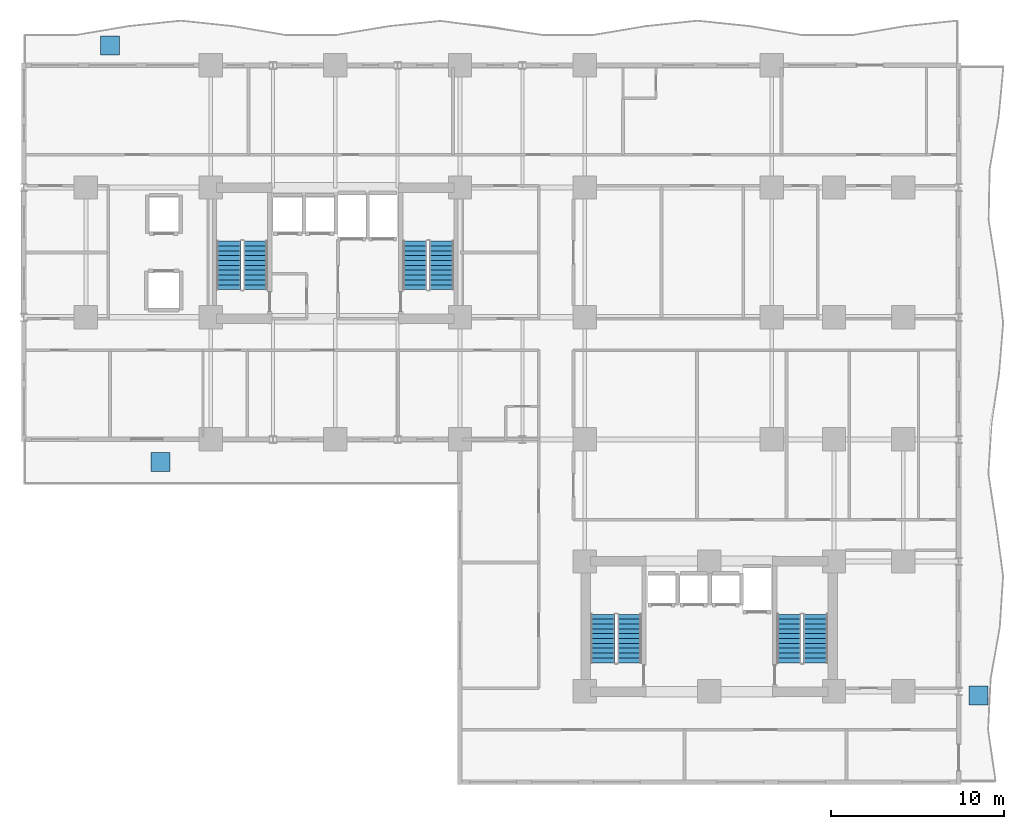
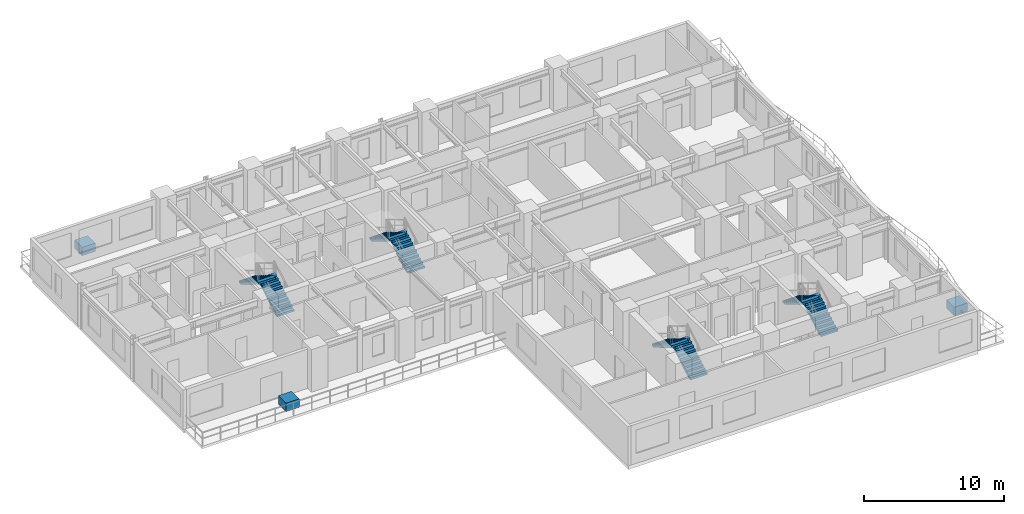
# One storey, part 8 of 11: 8 stair flights, 3 discrete accessories, 4 elements without a shape of their own.
"""IFC4 building model written with IfcOpenShell, lengths in metres."""

from ifc_helpers import new_model, si_unit, direction, frame, origin, origin_2d, place, context, subcontext, project, spatial, polyline, rectangle, outline, extrude, source, transform, mapped, material, type_object, element, aggregate, save


model = new_model("IFC4")

# Units and contexts
model_context = context("Model", 3, precision=1e-05, world=origin(), true_north=direction((0.0, 1.0)))
body_context = subcontext(model_context, "Body", "Model", "MODEL_VIEW")
ifc_project = project(units=[si_unit("LENGTHUNIT", "METRE"), si_unit("AREAUNIT", "SQUARE_METRE"), si_unit("VOLUMEUNIT", "CUBIC_METRE"), si_unit("PLANEANGLEUNIT", "RADIAN"), si_unit("MASSUNIT", "GRAM", prefix="KILO")], contexts=[model_context])

# Site, building, storey
site_placement = place(None, origin())
site = spatial("IfcSite", under=ifc_project, at=site_placement, CompositionType="ELEMENT")
building_placement = place(site_placement, origin())
building = spatial("IfcBuilding", under=site, at=building_placement, Name="Kaliganga Portal Commons", CompositionType="ELEMENT")
storey_placement = place(building_placement, frame((0.0, 0.0, 25.300048828125)))
storey = spatial("IfcBuildingStorey", under=building, at=storey_placement, Name="L05", CompositionType="ELEMENT", Elevation=25.300048828125)

# Stair, stair flights
ifc_material_1 = material(Name="Concrete C40/50", Category="concrete")
stair_type = type_object("IfcStairType", Name="ST-CORE-DOGLEG", PredefinedType="HALF_TURN_STAIR", material=ifc_material_1)
stair_1_placement = place(storey_placement, origin())
stair_1 = element("IfcStair", 1, at=stair_1_placement, inside=storey, type_object=stair_type, Name="L05 Protected Exit Stair ST-A1", PredefinedType="HALF_TURN_STAIR")
stair_flight_type = type_object("IfcStairFlightType", Name="STF-RC-1400", PredefinedType="STRAIGHT", material=ifc_material_1)
stair_flight_1_placement = place(storey_placement, frame((17.0, 30.25, 0.0), z_axis=(0.0, 0.0, 1.0), x_axis=(0.0, 1.0, 0.0)))
stair_flight_1 = element("IfcStairFlight", 2, at=stair_flight_1_placement, type_object=stair_flight_type, Name="ST-A1 flight 1", NumberOfRisers=11, NumberOfTreads=10, PredefinedType="STRAIGHT", RiserHeight=0.168181818, TreadLength=0.28, context=body_context, shape_type="SweptSolid", body=[
    extrude(outline(polyline([(0.0, 0.0), (0.0, 0.168212890625), (0.280029296875, 0.168212890625), (0.280029296875, 0.33642578125), (0.56005859375, 0.33642578125), (0.56005859375, 0.504638671875), (0.840087890625, 0.504638671875), (0.840087890625, 0.672607421875), (1.1201171875, 0.672607421875), (1.1201171875, 0.8408203125), (1.39990234375, 0.8408203125), (1.39990234375, 1.009033203125), (1.679931640625, 1.009033203125), (1.679931640625, 1.17724609375), (1.9599609375, 1.17724609375), (1.9599609375, 1.345458984375), (2.239990234375, 1.345458984375), (2.239990234375, 1.513671875), (2.52001953125, 1.513671875), (2.52001953125, 1.681884765625), (2.800048828125, 1.681884765625), (2.800048828125, 1.85009765625), (2.800048828125, 1.5068359375), (0.291015625, 0.0), (0.0, 0.0)])), frame((0.0, 0.699951171875, 0.0), z_axis=(0.0, -1.0, 0.0), x_axis=(1.0, 0.0, 0.0)), (0.0, 0.0, 1.0), 1.39990234375),
])
stair_flight_2_placement = place(storey_placement, frame((15.449951171875, 33.050048828125, 1.849853515625), z_axis=(0.0, 0.0, 1.0), x_axis=(0.0, -1.0, 0.0)))
stair_flight_2 = element("IfcStairFlight", 3, at=stair_flight_2_placement, type_object=stair_flight_type, Name="ST-A1 flight 2", NumberOfRisers=11, NumberOfTreads=10, PredefinedType="STRAIGHT", RiserHeight=0.168181818, TreadLength=0.28, context=body_context, shape_type="SweptSolid", body=[
    extrude(outline(polyline([(0.0, 0.0), (0.0, 0.168212890625), (0.280029296875, 0.168212890625), (0.280029296875, 0.33642578125), (0.56005859375, 0.33642578125), (0.56005859375, 0.504638671875), (0.840087890625, 0.504638671875), (0.840087890625, 0.672607421875), (1.1201171875, 0.672607421875), (1.1201171875, 0.8408203125), (1.39990234375, 0.8408203125), (1.39990234375, 1.009033203125), (1.679931640625, 1.009033203125), (1.679931640625, 1.17724609375), (1.9599609375, 1.17724609375), (1.9599609375, 1.345458984375), (2.239990234375, 1.345458984375), (2.239990234375, 1.513671875), (2.52001953125, 1.513671875), (2.52001953125, 1.681884765625), (2.800048828125, 1.681884765625), (2.800048828125, 1.85009765625), (2.800048828125, 1.5068359375), (0.291015625, 0.0), (0.0, 0.0)])), frame((0.0, 0.699951171875, 0.0), z_axis=(0.0, -1.0, 0.0), x_axis=(1.0, 0.0, 0.0)), (0.0, 0.0, 1.0), 1.39990234375),
])
aggregate(stair_1, [stair_flight_1, stair_flight_2])

stair_2_placement = place(storey_placement, origin())
stair_2 = element("IfcStair", 4, at=stair_2_placement, inside=storey, type_object=stair_type, Name="L05 Protected Exit Stair ST-A2", PredefinedType="HALF_TURN_STAIR")
stair_flight_3_placement = place(storey_placement, frame((27.75, 30.25, 0.0), z_axis=(0.0, 0.0, 1.0), x_axis=(0.0, 1.0, 0.0)))
stair_flight_3 = element("IfcStairFlight", 5, at=stair_flight_3_placement, type_object=stair_flight_type, Name="ST-A2 flight 1", NumberOfRisers=11, NumberOfTreads=10, PredefinedType="STRAIGHT", RiserHeight=0.168181818, TreadLength=0.28, context=body_context, shape_type="SweptSolid", body=[
    extrude(outline(polyline([(0.0, 0.0), (0.0, 0.168212890625), (0.280029296875, 0.168212890625), (0.280029296875, 0.33642578125), (0.56005859375, 0.33642578125), (0.56005859375, 0.504638671875), (0.840087890625, 0.504638671875), (0.840087890625, 0.672607421875), (1.1201171875, 0.672607421875), (1.1201171875, 0.8408203125), (1.39990234375, 0.8408203125), (1.39990234375, 1.009033203125), (1.679931640625, 1.009033203125), (1.679931640625, 1.17724609375), (1.9599609375, 1.17724609375), (1.9599609375, 1.345458984375), (2.239990234375, 1.345458984375), (2.239990234375, 1.513671875), (2.52001953125, 1.513671875), (2.52001953125, 1.681884765625), (2.800048828125, 1.681884765625), (2.800048828125, 1.85009765625), (2.800048828125, 1.5068359375), (0.291015625, 0.0), (0.0, 0.0)])), frame((0.0, 0.699951171875, 0.0), z_axis=(0.0, -1.0, 0.0), x_axis=(1.0, 0.0, 0.0)), (0.0, 0.0, 1.0), 1.39990234375),
])
stair_flight_4_placement = place(storey_placement, frame((26.199951171875, 33.050048828125, 1.849853515625), z_axis=(0.0, 0.0, 1.0), x_axis=(0.0, -1.0, 0.0)))
stair_flight_4 = element("IfcStairFlight", 6, at=stair_flight_4_placement, type_object=stair_flight_type, Name="ST-A2 flight 2", NumberOfRisers=11, NumberOfTreads=10, PredefinedType="STRAIGHT", RiserHeight=0.168181818, TreadLength=0.28, context=body_context, shape_type="SweptSolid", body=[
    extrude(outline(polyline([(0.0, 0.0), (0.0, 0.168212890625), (0.280029296875, 0.168212890625), (0.280029296875, 0.33642578125), (0.56005859375, 0.33642578125), (0.56005859375, 0.504638671875), (0.840087890625, 0.504638671875), (0.840087890625, 0.672607421875), (1.1201171875, 0.672607421875), (1.1201171875, 0.8408203125), (1.39990234375, 0.8408203125), (1.39990234375, 1.009033203125), (1.679931640625, 1.009033203125), (1.679931640625, 1.17724609375), (1.9599609375, 1.17724609375), (1.9599609375, 1.345458984375), (2.239990234375, 1.345458984375), (2.239990234375, 1.513671875), (2.52001953125, 1.513671875), (2.52001953125, 1.681884765625), (2.800048828125, 1.681884765625), (2.800048828125, 1.85009765625), (2.800048828125, 1.5068359375), (0.291015625, 0.0), (0.0, 0.0)])), frame((0.0, 0.699951171875, 0.0), z_axis=(0.0, -1.0, 0.0), x_axis=(1.0, 0.0, 0.0)), (0.0, 0.0, 1.0), 1.39990234375),
])
aggregate(stair_2, [stair_flight_3, stair_flight_4])

stair_3_placement = place(storey_placement, origin())
stair_3 = element("IfcStair", 7, at=stair_3_placement, inside=storey, type_object=stair_type, Name="L05 Protected Exit Stair ST-B1", PredefinedType="HALF_TURN_STAIR")
stair_flight_5_placement = place(storey_placement, frame((38.60009765625, 8.699951171875, 0.0), z_axis=(0.0, 0.0, 1.0), x_axis=(0.0, 1.0, 0.0)))
stair_flight_5 = element("IfcStairFlight", 8, at=stair_flight_5_placement, type_object=stair_flight_type, Name="ST-B1 flight 1", NumberOfRisers=11, NumberOfTreads=10, PredefinedType="STRAIGHT", RiserHeight=0.168181818, TreadLength=0.28, context=body_context, shape_type="SweptSolid", body=[
    extrude(outline(polyline([(0.0, 0.0), (0.0, 0.168212890625), (0.280029296875, 0.168212890625), (0.280029296875, 0.33642578125), (0.56005859375, 0.33642578125), (0.56005859375, 0.504638671875), (0.840087890625, 0.504638671875), (0.840087890625, 0.672607421875), (1.1201171875, 0.672607421875), (1.1201171875, 0.8408203125), (1.39990234375, 0.8408203125), (1.39990234375, 1.009033203125), (1.679931640625, 1.009033203125), (1.679931640625, 1.17724609375), (1.9599609375, 1.17724609375), (1.9599609375, 1.345458984375), (2.239990234375, 1.345458984375), (2.239990234375, 1.513671875), (2.52001953125, 1.513671875), (2.52001953125, 1.681884765625), (2.800048828125, 1.681884765625), (2.800048828125, 1.85009765625), (2.800048828125, 1.5068359375), (0.291015625, 0.0), (0.0, 0.0)])), frame((0.0, 0.699951171875, 0.0), z_axis=(0.0, -1.0, 0.0), x_axis=(1.0, 0.0, 0.0)), (0.0, 0.0, 1.0), 1.39990234375),
])
stair_flight_6_placement = place(storey_placement, frame((37.050048828125, 11.5, 1.849853515625), z_axis=(0.0, 0.0, 1.0), x_axis=(0.0, -1.0, 0.0)))
stair_flight_6 = element("IfcStairFlight", 9, at=stair_flight_6_placement, type_object=stair_flight_type, Name="ST-B1 flight 2", NumberOfRisers=11, NumberOfTreads=10, PredefinedType="STRAIGHT", RiserHeight=0.168181818, TreadLength=0.28, context=body_context, shape_type="SweptSolid", body=[
    extrude(outline(polyline([(0.0, 0.0), (0.0, 0.168212890625), (0.280029296875, 0.168212890625), (0.280029296875, 0.33642578125), (0.56005859375, 0.33642578125), (0.56005859375, 0.504638671875), (0.840087890625, 0.504638671875), (0.840087890625, 0.672607421875), (1.1201171875, 0.672607421875), (1.1201171875, 0.8408203125), (1.39990234375, 0.8408203125), (1.39990234375, 1.009033203125), (1.679931640625, 1.009033203125), (1.679931640625, 1.17724609375), (1.9599609375, 1.17724609375), (1.9599609375, 1.345458984375), (2.239990234375, 1.345458984375), (2.239990234375, 1.513671875), (2.52001953125, 1.513671875), (2.52001953125, 1.681884765625), (2.800048828125, 1.681884765625), (2.800048828125, 1.85009765625), (2.800048828125, 1.5068359375), (0.291015625, 0.0), (0.0, 0.0)])), frame((0.0, 0.699951171875, 0.0), z_axis=(0.0, -1.0, 0.0), x_axis=(1.0, 0.0, 0.0)), (0.0, 0.0, 1.0), 1.39990234375),
])
aggregate(stair_3, [stair_flight_5, stair_flight_6])

stair_4_placement = place(storey_placement, origin())
stair_4 = element("IfcStair", 10, at=stair_4_placement, inside=storey, type_object=stair_type, Name="L05 Protected Exit Stair ST-B2", PredefinedType="HALF_TURN_STAIR")
stair_flight_7_placement = place(storey_placement, frame((49.35009765625, 8.699951171875, 0.0), z_axis=(0.0, 0.0, 1.0), x_axis=(0.0, 1.0, 0.0)))
stair_flight_7 = element("IfcStairFlight", 11, at=stair_flight_7_placement, type_object=stair_flight_type, Name="ST-B2 flight 1", NumberOfRisers=11, NumberOfTreads=10, PredefinedType="STRAIGHT", RiserHeight=0.168181818, TreadLength=0.28, context=body_context, shape_type="SweptSolid", body=[
    extrude(outline(polyline([(0.0, 0.0), (0.0, 0.168212890625), (0.280029296875, 0.168212890625), (0.280029296875, 0.33642578125), (0.56005859375, 0.33642578125), (0.56005859375, 0.504638671875), (0.840087890625, 0.504638671875), (0.840087890625, 0.672607421875), (1.1201171875, 0.672607421875), (1.1201171875, 0.8408203125), (1.39990234375, 0.8408203125), (1.39990234375, 1.009033203125), (1.679931640625, 1.009033203125), (1.679931640625, 1.17724609375), (1.9599609375, 1.17724609375), (1.9599609375, 1.345458984375), (2.239990234375, 1.345458984375), (2.239990234375, 1.513671875), (2.52001953125, 1.513671875), (2.52001953125, 1.681884765625), (2.800048828125, 1.681884765625), (2.800048828125, 1.85009765625), (2.800048828125, 1.5068359375), (0.291015625, 0.0), (0.0, 0.0)])), frame((0.0, 0.699951171875, 0.0), z_axis=(0.0, -1.0, 0.0), x_axis=(1.0, 0.0, 0.0)), (0.0, 0.0, 1.0), 1.39990234375),
])
stair_flight_8_placement = place(storey_placement, frame((47.800048828125, 11.5, 1.849853515625), z_axis=(0.0, 0.0, 1.0), x_axis=(0.0, -1.0, 0.0)))
stair_flight_8 = element("IfcStairFlight", 12, at=stair_flight_8_placement, type_object=stair_flight_type, Name="ST-B2 flight 2", NumberOfRisers=11, NumberOfTreads=10, PredefinedType="STRAIGHT", RiserHeight=0.168181818, TreadLength=0.28, context=body_context, shape_type="SweptSolid", body=[
    extrude(outline(polyline([(0.0, 0.0), (0.0, 0.168212890625), (0.280029296875, 0.168212890625), (0.280029296875, 0.33642578125), (0.56005859375, 0.33642578125), (0.56005859375, 0.504638671875), (0.840087890625, 0.504638671875), (0.840087890625, 0.672607421875), (1.1201171875, 0.672607421875), (1.1201171875, 0.8408203125), (1.39990234375, 0.8408203125), (1.39990234375, 1.009033203125), (1.679931640625, 1.009033203125), (1.679931640625, 1.17724609375), (1.9599609375, 1.17724609375), (1.9599609375, 1.345458984375), (2.239990234375, 1.345458984375), (2.239990234375, 1.513671875), (2.52001953125, 1.513671875), (2.52001953125, 1.681884765625), (2.800048828125, 1.681884765625), (2.800048828125, 1.85009765625), (2.800048828125, 1.5068359375), (0.291015625, 0.0), (0.0, 0.0)])), frame((0.0, 0.699951171875, 0.0), z_axis=(0.0, -1.0, 0.0), x_axis=(1.0, 0.0, 0.0)), (0.0, 0.0, 1.0), 1.39990234375),
])
aggregate(stair_4, [stair_flight_7, stair_flight_8])

# Discrete accessories
ifc_material_2 = material(Name="Precast concrete C40/50", Category="concrete")
discrete_accessory_type = type_object("IfcDiscreteAccessoryType", Name="DAC-PLANTER-RC", PredefinedType="USERDEFINED", material=ifc_material_2)
shared_shape = source(origin(), body_context, "Body", "SweptSolid", [
    extrude(rectangle(XDim=1.10009765625, YDim=1.10009765625, at=origin_2d()), origin(), (0.0, 0.0, 1.0), 0.719970703125),
])
for number, where, z_axis, x_axis, name in (
    (13, (8.60009765625, 44.35009765625, 0.0), (0.0, 0.0, 1.0), (1.0, 0.0, 0.0), "Structural Tree Planter L05 balc_north"),
    (14, (58.75, 6.800048828125, 0.0), (0.0, 0.0, 1.0), (1.0, 0.0, 0.0), "Structural Tree Planter L05 balc_east"),
    (15, (11.5, 20.300048828125, 0.0), (0.0, 0.0, 1.0), (1.0, 0.0, 0.0), "Sky-Garden Tree Planter L05 skygarden_l05"),
):
    element("IfcDiscreteAccessory", number, at=place(storey_placement, frame(where, z_axis=z_axis, x_axis=x_axis)), inside=storey, type_object=discrete_accessory_type, Name=name, ObjectType="PLANTER", PredefinedType="USERDEFINED", context=body_context, shape_type="MappedRepresentation", body=[
        mapped(shared_shape, transform((0.0, 0.0, 0.0), x_axis=(1.0, 0.0, 0.0), y_axis=(0.0, 1.0, 0.0), z_axis=(0.0, 0.0, 1.0), scale=1.0)),
    ])

save(model, "model.ifc")
